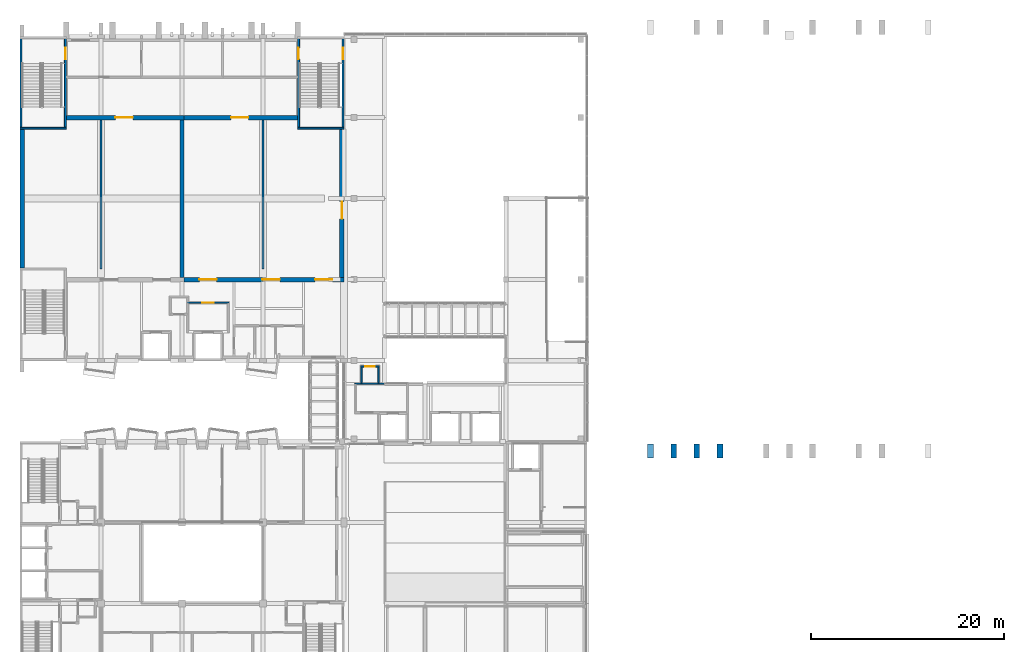
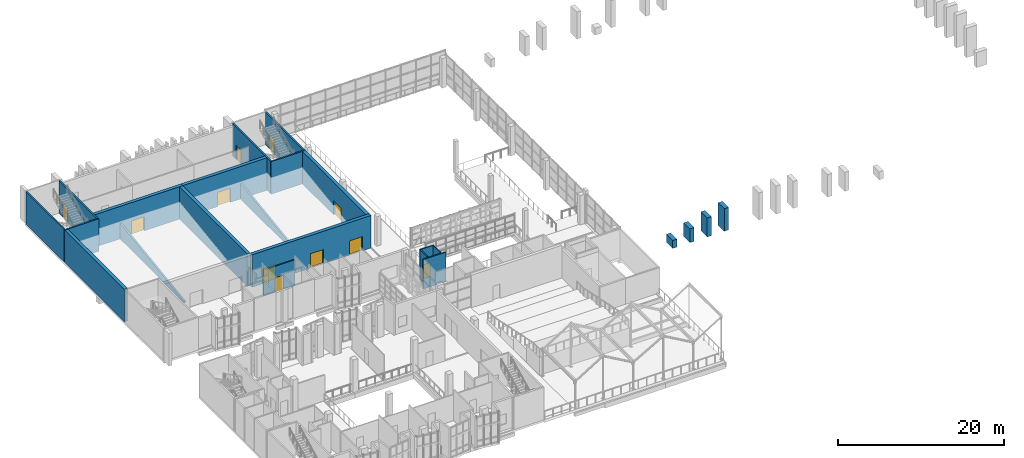
# One storey, part 45 of 67: 23 walls, 11 doors, 11 openings.
"""IFC4 building model written with IfcOpenShell, lengths in metres."""

from ifc_helpers import new_model, si_unit, direction, frame, frame_2d, origin, place, context, subcontext, project, spatial, polyline, rectangle, outline, extrude, material, layer, layer_set, type_object, element, fill, save


model = new_model("IFC4")

# Units and contexts
model_context = context("Model", 3, precision=1e-05, world=origin(), true_north=direction((0.0, 1.0)))
body_context = subcontext(model_context, "Body", "Model", "MODEL_VIEW")
ifc_project = project(units=[si_unit("LENGTHUNIT", "METRE"), si_unit("AREAUNIT", "SQUARE_METRE"), si_unit("VOLUMEUNIT", "CUBIC_METRE"), si_unit("PLANEANGLEUNIT", "RADIAN"), si_unit("MASSUNIT", "GRAM", prefix="KILO")], contexts=[model_context])

# Site, building, storey
site_placement = place(None, origin())
site = spatial("IfcSite", under=ifc_project, at=site_placement, CompositionType="ELEMENT")
building_placement = place(site_placement, origin())
building = spatial("IfcBuilding", under=site, at=building_placement, Name="Kiln Court Media Centre", CompositionType="ELEMENT")
storey_placement = place(building_placement, frame((0.0, 0.0, 19.800048828125)))
storey = spatial("IfcBuildingStorey", under=building, at=storey_placement, Name="L04", CompositionType="ELEMENT", Elevation=19.800048828125)

# Wall
ifc_material_1 = material(Name="Concrete block masonry M7.5", Category="masonry")
ifc_layer_1 = layer(ifc_material_1, 0.14990234375)
ifc_layer_set_1 = layer_set([ifc_layer_1], Name="Block lobby wall 150 EI 120")
wall_type_1 = type_object("IfcWallType", Name="Block lobby wall 150 EI 120", PredefinedType="SOLIDWALL", material=ifc_layer_set_1)
wall_1_placement = place(storey_placement, frame((34.72509765625, 31.199951171875, 0.0), z_axis=(0.0, 0.0, 1.0), x_axis=(1.0, 0.0, 0.0)))
element("IfcWall", 1, at=wall_1_placement, inside=storey, type_object=wall_type_1, Name="L04 block lobby wall", PredefinedType="SOLIDWALL", context=body_context, shape_type="SweptSolid", body=[
    extrude(rectangle(XDim=3.14990234375, YDim=0.14990234375, at=frame_2d((1.574951171875, 0.0))), origin(), (0.0, 0.0, 1.0), 4.349853515625),
])

# Wall, opening, door
wall_2_placement = place(storey_placement, frame((17.324951171875, 39.60009765625, 0.0), z_axis=(0.0, 0.0, 1.0), x_axis=(1.0, 0.0, 0.0)))
wall_2 = element("IfcWall", 2, at=wall_2_placement, inside=storey, type_object=wall_type_1, Name="L04 block lobby wall", PredefinedType="SOLIDWALL", context=body_context, shape_type="SweptSolid", body=[
    extrude(rectangle(XDim=4.35009765625, YDim=0.14990234375, at=frame_2d((2.175048828125, 0.0))), origin(), (0.0, 0.0, 1.0), 3.800048828125),
])
opening_1_placement = place(wall_2_placement, frame((1.574951171875, 0.0, 0.0)))
opening_1 = element("IfcOpeningElement", 3, at=opening_1_placement, cuts=wall_2, Name="Opening D4026", PredefinedType="OPENING", context=body_context, shape_type="SweptSolid", body=[
    extrude(rectangle(XDim=1.199951171875, YDim=2.10009765625, at=frame_2d((0.60009765625, 1.050048828125))), frame((0.0, 0.0849609375, 0.0), z_axis=(0.0, -1.0, 0.0), x_axis=(1.0, 0.0, 0.0)), (0.0, 0.0, 1.0), 0.169921875),
])
ifc_material_2 = material(Name="Steel S275", Category="steel")
door_type_1 = type_object("IfcDoorType", Name="Steel lobby door 1200 x 2100 FD120", OperationType="SINGLE_SWING_LEFT", PredefinedType="DOOR", material=ifc_material_2)
door_1_placement = place(opening_1_placement, origin())
door_1 = element("IfcDoor", 4, at=door_1_placement, inside=storey, type_object=door_type_1, Name="Cinema Lobby / Fire-fighting Lift Lobby", OperationType="SINGLE_SWING_RIGHT", OverallHeight=2.10009765625, OverallWidth=1.199951171875, PredefinedType="DOOR", context=body_context, shape_type="SweptSolid", body=[
    extrude(rectangle(XDim=1.199951171875, YDim=2.10009765625, at=frame_2d((0.60009765625, 1.050048828125))), frame((0.0, 0.02490234375, 0.0), z_axis=(0.0, -1.0, 0.0), x_axis=(1.0, 0.0, 0.0)), (0.0, 0.0, 1.0), 0.050048828125),
])
fill(opening_1, door_1)

ifc_material_3 = material(Name="Concrete C40/50", Category="concrete")
ifc_layer_2 = layer(ifc_material_3, 0.449951171875)
ifc_layer_set_2 = layer_set([ifc_layer_2], Name="Concrete C40/50 auditorium wall 450")
wall_type_2 = type_object("IfcWallType", Name="Concrete C40/50 auditorium wall 450", PredefinedType="SHEAR", material=ifc_layer_set_2)
wall_3_placement = place(storey_placement, frame((4.800048828125, 58.800048828125, 0.0), z_axis=(0.0, 0.0, 1.0), x_axis=(1.0, 0.0, 0.0)))
wall_3 = element("IfcWall", 5, at=wall_3_placement, inside=storey, type_object=wall_type_2, Name="L04-W-1073", PredefinedType="SHEAR", context=body_context, shape_type="SweptSolid", body=[
    extrude(rectangle(XDim=12.224853515625, YDim=0.449951171875, at=frame_2d((6.1123046875, 0.0))), origin(), (0.0, 0.0, 1.0), 4.800048828125),
])
opening_2_placement = place(wall_3_placement, frame((5.10009765625, 0.0, 0.0)))
opening_2 = element("IfcOpeningElement", 6, at=opening_2_placement, cuts=wall_3, Name="Opening D4039", PredefinedType="OPENING", context=body_context, shape_type="SweptSolid", body=[
    extrude(rectangle(XDim=1.800048828125, YDim=2.10009765625, at=frame_2d((0.89990234375, 1.050048828125))), frame((0.0, 0.23486328125, 0.0), z_axis=(0.0, -1.0, 0.0), x_axis=(1.0, 0.0, 0.0)), (0.0, 0.0, 1.0), 0.469970703125),
])
ifc_material_4 = material(Name="Steel S275", Category="steel")
door_type_2 = type_object("IfcDoorType", Name="Acoustic cinema double door 1800 x 2100 FD180", OperationType="DOUBLE_DOOR_SINGLE_SWING", PredefinedType="DOOR", material=ifc_material_4)
door_2_placement = place(opening_2_placement, origin())
door_2 = element("IfcDoor", 7, at=door_2_placement, inside=storey, type_object=door_type_2, Name="Cinema Screen 7 / Rear Exit Lobby", OperationType="DOUBLE_DOOR_SINGLE_SWING", OverallHeight=2.10009765625, OverallWidth=1.800048828125, PredefinedType="DOOR", context=body_context, shape_type="SweptSolid", body=[
    extrude(rectangle(XDim=1.800048828125, YDim=2.10009765625, at=frame_2d((0.89990234375, 1.050048828125))), frame((0.0, 0.02490234375, 0.0), z_axis=(0.0, -1.0, 0.0), x_axis=(1.0, 0.0, 0.0)), (0.0, 0.0, 1.0), 0.050048828125),
])
fill(opening_2, door_2)

# Walls
wall_4_placement = place(storey_placement, frame((0.225341796875, 43.199951171875, 0.0), z_axis=(0.0, 0.0, 1.0), x_axis=(0.0, 1.0, 0.0)))
element("IfcWall", 8, at=wall_4_placement, inside=storey, type_object=wall_type_2, Name="L04-W-1074", PredefinedType="SHEAR", context=body_context, shape_type="SweptSolid", body=[
    extrude(rectangle(XDim=14.400146484375, YDim=0.449951171875, at=frame_2d((7.2001953125, 0.0))), origin(), (0.0, 0.0, 1.0), 4.800048828125),
])
wall_5_placement = place(storey_placement, frame((16.800048828125, 58.574951171875, 0.0), z_axis=(0.0, 0.0, 1.0), x_axis=(0.0, -1.0, 0.0)))
element("IfcWall", 9, at=wall_5_placement, inside=storey, type_object=wall_type_2, Name="L04-W-1075", PredefinedType="SHEAR", context=body_context, shape_type="SweptSolid", body=[
    extrude(rectangle(XDim=16.349853515625, YDim=0.449951171875, at=frame_2d((8.1748046875, 0.0))), origin(), (0.0, 0.0, 1.0), 4.800048828125),
])

# Wall, openings, doors
wall_6_placement = place(storey_placement, frame((33.60009765625, 42.0, 0.0), z_axis=(0.0, 0.0, 1.0), x_axis=(-1.0, 0.0, 0.0)))
wall_6 = element("IfcWall", 10, at=wall_6_placement, inside=storey, type_object=wall_type_2, Name="L04-W-1076", PredefinedType="SHEAR", context=body_context, shape_type="SweptSolid", body=[
    extrude(rectangle(XDim=16.5751953125, YDim=0.449951171875, at=frame_2d((8.28759765625, 0.0))), origin(), (0.0, 0.0, 1.0), 4.800048828125),
])
opening_3_placement = place(wall_6_placement, frame((13.2001953125, 0.0, 0.0)))
opening_3 = element("IfcOpeningElement", 11, at=opening_3_placement, cuts=wall_6, Name="Opening D4040", PredefinedType="OPENING", context=body_context, shape_type="SweptSolid", body=[
    extrude(rectangle(XDim=1.800048828125, YDim=2.10009765625, at=frame_2d((0.89990234375, 1.050048828125))), frame((0.0, 0.23486328125, 0.0), z_axis=(0.0, -1.0, 0.0), x_axis=(1.0, 0.0, 0.0)), (0.0, 0.0, 1.0), 0.469970703125),
])
opening_4_placement = place(wall_6_placement, frame((1.2001953125, 0.0, 0.0)))
opening_4 = element("IfcOpeningElement", 12, at=opening_4_placement, cuts=wall_6, Name="Opening D4041", PredefinedType="OPENING", context=body_context, shape_type="SweptSolid", body=[
    extrude(rectangle(XDim=1.800048828125, YDim=2.10009765625, at=frame_2d((0.89990234375, 1.050048828125))), frame((0.0, 0.23486328125, 0.0), z_axis=(0.0, -1.0, 0.0), x_axis=(1.0, 0.0, 0.0)), (0.0, 0.0, 1.0), 0.469970703125),
])
opening_5_placement = place(wall_6_placement, frame((6.650146484375, 0.0, 0.0)))
opening_5 = element("IfcOpeningElement", 13, at=opening_5_placement, cuts=wall_6, Name="Opening D4042", PredefinedType="OPENING", context=body_context, shape_type="SweptSolid", body=[
    extrude(rectangle(XDim=1.800048828125, YDim=2.10009765625, at=frame_2d((0.89990234375, 1.050048828125))), frame((0.0, 0.23486328125, 0.0), z_axis=(0.0, -1.0, 0.0), x_axis=(1.0, 0.0, 0.0)), (0.0, 0.0, 1.0), 0.469970703125),
])
door_3_placement = place(opening_3_placement, origin())
door_3 = element("IfcDoor", 14, at=door_3_placement, inside=storey, type_object=door_type_2, Name="Cinema Lobby / Cinema Screen 8", OperationType="DOUBLE_DOOR_SINGLE_SWING", OverallHeight=2.10009765625, OverallWidth=1.800048828125, PredefinedType="DOOR", context=body_context, shape_type="SweptSolid", body=[
    extrude(rectangle(XDim=1.800048828125, YDim=2.10009765625, at=frame_2d((0.89990234375, 1.050048828125))), frame((0.0, 0.02490234375, 0.0), z_axis=(0.0, -1.0, 0.0), x_axis=(1.0, 0.0, 0.0)), (0.0, 0.0, 1.0), 0.050048828125),
])
fill(opening_3, door_3)
door_4_placement = place(opening_4_placement, origin())
door_4 = element("IfcDoor", 15, at=door_4_placement, inside=storey, type_object=door_type_2, Name="Foyer Link / Cinema Screen 8", OperationType="DOUBLE_DOOR_SINGLE_SWING", OverallHeight=2.10009765625, OverallWidth=1.800048828125, PredefinedType="DOOR", context=body_context, shape_type="SweptSolid", body=[
    extrude(rectangle(XDim=1.800048828125, YDim=2.10009765625, at=frame_2d((0.89990234375, 1.050048828125))), frame((0.0, 0.02490234375, 0.0), z_axis=(0.0, -1.0, 0.0), x_axis=(1.0, 0.0, 0.0)), (0.0, 0.0, 1.0), 0.050048828125),
])
fill(opening_4, door_4)
door_5_placement = place(opening_5_placement, origin())
door_5 = element("IfcDoor", 16, at=door_5_placement, inside=storey, type_object=door_type_2, Name="Cinema Lobby / Cinema Screen 8", OperationType="DOUBLE_DOOR_SINGLE_SWING", OverallHeight=2.10009765625, OverallWidth=1.800048828125, PredefinedType="DOOR", context=body_context, shape_type="SweptSolid", body=[
    extrude(rectangle(XDim=1.800048828125, YDim=2.10009765625, at=frame_2d((0.89990234375, 1.050048828125))), frame((0.0, 0.02490234375, 0.0), z_axis=(0.0, -1.0, 0.0), x_axis=(1.0, 0.0, 0.0)), (0.0, 0.0, 1.0), 0.050048828125),
])
fill(opening_5, door_5)

# Wall, opening, door
wall_7_placement = place(storey_placement, frame((17.02490234375, 58.800048828125, 0.0), z_axis=(0.0, 0.0, 1.0), x_axis=(1.0, 0.0, 0.0)))
wall_7 = element("IfcWall", 17, at=wall_7_placement, inside=storey, type_object=wall_type_2, Name="L04-W-1077", PredefinedType="SHEAR", context=body_context, shape_type="SweptSolid", body=[
    extrude(rectangle(XDim=11.775146484375, YDim=0.449951171875, at=frame_2d((5.8876953125, 0.0))), origin(), (0.0, 0.0, 1.0), 4.800048828125),
])
opening_6_placement = place(wall_7_placement, frame((4.875, 0.0, 0.0)))
opening_6 = element("IfcOpeningElement", 18, at=opening_6_placement, cuts=wall_7, Name="Opening D4043", PredefinedType="OPENING", context=body_context, shape_type="SweptSolid", body=[
    extrude(rectangle(XDim=1.800048828125, YDim=2.10009765625, at=frame_2d((0.89990234375, 1.050048828125))), frame((0.0, 0.23486328125, 0.0), z_axis=(0.0, -1.0, 0.0), x_axis=(1.0, 0.0, 0.0)), (0.0, 0.0, 1.0), 0.469970703125),
])
door_6_placement = place(opening_6_placement, origin())
door_6 = element("IfcDoor", 19, at=door_6_placement, inside=storey, type_object=door_type_2, Name="Cinema Screen 8 / Rear Exit Lobby", OperationType="DOUBLE_DOOR_SINGLE_SWING", OverallHeight=2.10009765625, OverallWidth=1.800048828125, PredefinedType="DOOR", context=body_context, shape_type="SweptSolid", body=[
    extrude(rectangle(XDim=1.800048828125, YDim=2.10009765625, at=frame_2d((0.89990234375, 1.050048828125))), frame((0.0, 0.02490234375, 0.0), z_axis=(0.0, -1.0, 0.0), x_axis=(1.0, 0.0, 0.0)), (0.0, 0.0, 1.0), 0.050048828125),
])
fill(opening_6, door_6)

wall_8_placement = place(storey_placement, frame((33.375, 57.60009765625, 0.0), z_axis=(0.0, 0.0, 1.0), x_axis=(0.0, -1.0, 0.0)))
wall_8 = element("IfcWall", 20, at=wall_8_placement, inside=storey, type_object=wall_type_2, Name="L04-W-1078", PredefinedType="SHEAR", context=body_context, shape_type="SweptSolid", body=[
    extrude(rectangle(XDim=15.375, YDim=0.449951171875, at=frame_2d((7.6875, 0.0))), origin(), (0.0, 0.0, 1.0), 4.800048828125),
])
opening_7_placement = place(wall_8_placement, frame((7.5, 0.0, 0.0)))
opening_7 = element("IfcOpeningElement", 21, at=opening_7_placement, cuts=wall_8, Name="Opening D4012", PredefinedType="OPENING", context=body_context, shape_type="SweptSolid", body=[
    extrude(rectangle(XDim=1.800048828125, YDim=2.10009765625, at=frame_2d((0.89990234375, 1.050048828125))), frame((0.0, 0.23486328125, 0.0), z_axis=(0.0, -1.0, 0.0), x_axis=(1.0, 0.0, 0.0)), (0.0, 0.0, 1.0), 0.469970703125),
])
ifc_material_5 = material(Name="Steel S275", Category="steel")
door_type_3 = type_object("IfcDoorType", Name="Steel fire-wall double door 1800 x 2100 FD180", OperationType="DOUBLE_DOOR_SINGLE_SWING", PredefinedType="DOOR", material=ifc_material_5)
door_7_placement = place(opening_7_placement, origin())
door_7 = element("IfcDoor", 22, at=door_7_placement, inside=storey, type_object=door_type_3, Name="West Gallery / Cinema Screen 8", OperationType="DOUBLE_DOOR_SINGLE_SWING", OverallHeight=2.10009765625, OverallWidth=1.800048828125, PredefinedType="DOOR", context=body_context, shape_type="SweptSolid", body=[
    extrude(rectangle(XDim=1.800048828125, YDim=2.10009765625, at=frame_2d((0.89990234375, 1.050048828125))), frame((0.0, 0.02490234375, 0.0), z_axis=(0.0, -1.0, 0.0), x_axis=(1.0, 0.0, 0.0)), (0.0, 0.0, 1.0), 0.050048828125),
])
fill(opening_7, door_7)

# Walls
ifc_material_6 = material(Name="Concrete C40/50", Category="concrete")
ifc_layer_3 = layer(ifc_material_6, 0.60009765625)
ifc_layer_set_3 = layer_set([ifc_layer_3], Name="Concrete C40/50 cast rib 600x1500")
wall_type_3 = type_object("IfcWallType", Name="Concrete C40/50 cast rib 600x1500", PredefinedType="SOLIDWALL", material=ifc_layer_set_3)
wall_9_placement = place(storey_placement, frame((65.39990234375, 24.9736328125, 0.0), z_axis=(0.0, 0.0, 1.0), x_axis=(0.0, -1.0, 0.0)))
element("IfcWall", 23, at=wall_9_placement, inside=storey, type_object=wall_type_3, Name="V1 S gable rib", PredefinedType="SOLIDWALL", context=body_context, shape_type="SweptSolid", body=[
    extrude(rectangle(XDim=1.5, YDim=0.60009765625, at=frame_2d((0.75, 0.0))), origin(), (0.0, 0.0, 1.0), 1.179931640625),
])
wall_10_placement = place(storey_placement, frame((67.800048828125, 24.9736328125, 0.0), z_axis=(0.0, 0.0, 1.0), x_axis=(0.0, -1.0, 0.0)))
element("IfcWall", 24, at=wall_10_placement, inside=storey, type_object=wall_type_3, Name="V1 S gable rib", PredefinedType="SOLIDWALL", context=body_context, shape_type="SweptSolid", body=[
    extrude(rectangle(XDim=1.5, YDim=0.60009765625, at=frame_2d((0.75, 0.0))), origin(), (0.0, 0.0, 1.0), 2.037109375),
])
wall_11_placement = place(storey_placement, frame((70.199951171875, 24.9736328125, 0.0), z_axis=(0.0, 0.0, 1.0), x_axis=(0.0, -1.0, 0.0)))
element("IfcWall", 25, at=wall_11_placement, inside=storey, type_object=wall_type_3, Name="V1 S gable rib", PredefinedType="SOLIDWALL", context=body_context, shape_type="SweptSolid", body=[
    extrude(rectangle(XDim=1.5, YDim=0.60009765625, at=frame_2d((0.75, 0.0))), origin(), (0.0, 0.0, 1.0), 2.80859375),
])
wall_12_placement = place(storey_placement, frame((72.60009765625, 24.9736328125, 0.0), z_axis=(0.0, 0.0, 1.0), x_axis=(0.0, -1.0, 0.0)))
element("IfcWall", 26, at=wall_12_placement, inside=storey, type_object=wall_type_3, Name="V1 S gable rib", PredefinedType="SOLIDWALL", context=body_context, shape_type="SweptSolid", body=[
    extrude(rectangle(XDim=1.5, YDim=0.60009765625, at=frame_2d((0.75, 0.0))), origin(), (0.0, 0.0, 1.0), 3.32275390625),
])
ifc_material_7 = material(Name="Concrete C40/50", Category="concrete")
ifc_layer_4 = layer(ifc_material_7, 0.25)
ifc_layer_set_4 = layer_set([ifc_layer_4], Name="Concrete C40/50 raker wall 250")
wall_type_4 = type_object("IfcWallType", Name="Concrete C40/50 raker wall 250", PredefinedType="SOLIDWALL", material=ifc_layer_set_4)
for number, where, z_axis, x_axis, name in (
    (27, (8.39990234375, 43.10009765625, 0.0), (0.0, 0.0, 1.0), (0.0, 1.0, 0.0), "L04-W-1104"),
    (28, (25.199951171875, 43.10009765625, 0.0), (0.0, 0.0, 1.0), (0.0, 1.0, 0.0), "L04-W-1105"),
):
    element("IfcWall", number, at=place(storey_placement, frame(where, z_axis=z_axis, x_axis=x_axis)), inside=storey, type_object=wall_type_4, Name=name, PredefinedType="SOLIDWALL", context=body_context, shape_type="SweptSolid", body=[
        extrude(outline(polyline([(0.0, 0.0), (15.474853515625, 0.0), (15.474853515625, 2.320556640625), (0.0, 0.154052734375), (0.0, 0.0)])), frame((0.0, 0.125, 0.0), z_axis=(0.0, -1.0, 0.0), x_axis=(1.0, 0.0, 0.0)), (0.0, 0.0, 1.0), 0.25),
    ])
ifc_material_8 = material(Name="Concrete C40/50", Category="concrete")
ifc_layer_5 = layer(ifc_material_8, 0.199951171875)
ifc_layer_set_5 = layer_set([ifc_layer_5], Name="Concrete C40/50 shear wall 200")
wall_type_5 = type_object("IfcWallType", Name="Concrete C40/50 shear wall 200", PredefinedType="SHEAR", material=ifc_layer_set_5)
wall_13_placement = place(storey_placement, frame((4.800048828125, 57.699951171875, 0.0), z_axis=(0.0, 0.0, 1.0), x_axis=(-1.0, 0.0, 0.0)))
element("IfcWall", 29, at=wall_13_placement, inside=storey, type_object=wall_type_5, Name="L04-W-1020", PredefinedType="SHEAR", context=body_context, shape_type="SweptSolid", body=[
    extrude(rectangle(XDim=4.799560546875, YDim=0.199951171875, at=frame_2d((2.39990234375, 0.0))), origin(), (0.0, 0.0, 1.0), 4.800048828125),
])
wall_14_placement = place(storey_placement, frame((0.100341796875, 57.800048828125, 0.0), z_axis=(0.0, 0.0, 1.0), x_axis=(0.0, 1.0, 0.0)))
element("IfcWall", 30, at=wall_14_placement, inside=storey, type_object=wall_type_5, Name="L04-W-1022", PredefinedType="SHEAR", context=body_context, shape_type="SweptSolid", body=[
    extrude(rectangle(XDim=9.199951171875, YDim=0.199951171875, at=frame_2d((4.60009765625, 0.0))), origin(), (0.0, 0.0, 1.0), 4.800048828125),
])

# Wall, opening, door
wall_15_placement = place(storey_placement, frame((4.699951171875, 67.0, 0.0), z_axis=(0.0, 0.0, 1.0), x_axis=(0.0, -1.0, 0.0)))
wall_15 = element("IfcWall", 31, at=wall_15_placement, inside=storey, type_object=wall_type_5, Name="L04-W-1023", PredefinedType="SHEAR", context=body_context, shape_type="SweptSolid", body=[
    extrude(rectangle(XDim=9.199951171875, YDim=0.199951171875, at=frame_2d((4.60009765625, 0.0))), origin(), (0.0, 0.0, 1.0), 4.800048828125),
])
opening_8_placement = place(wall_15_placement, frame((0.949951171875, 0.0, 0.0)))
opening_8 = element("IfcOpeningElement", 32, at=opening_8_placement, cuts=wall_15, Name="Opening D4003", PredefinedType="OPENING", context=body_context, shape_type="SweptSolid", body=[
    extrude(rectangle(XDim=1.199951171875, YDim=2.10009765625, at=frame_2d((0.60009765625, 1.050048828125))), frame((0.0, 0.10986328125, 0.0), z_axis=(0.0, -1.0, 0.0), x_axis=(1.0, 0.0, 0.0)), (0.0, 0.0, 1.0), 0.219970703125),
])
ifc_material_9 = material(Name="Steel S275", Category="steel")
door_type_4 = type_object("IfcDoorType", Name="Steel stair door 1200 x 2100 FD180", OperationType="SINGLE_SWING_LEFT", PredefinedType="DOOR", material=ifc_material_9)
door_8_placement = place(opening_8_placement, origin())
door_8 = element("IfcDoor", 33, at=door_8_placement, inside=storey, type_object=door_type_4, Name="Stair 7 / Cinema Staff Room", OperationType="SINGLE_SWING_RIGHT", OverallHeight=2.10009765625, OverallWidth=1.199951171875, PredefinedType="DOOR", context=body_context, shape_type="SweptSolid", body=[
    extrude(rectangle(XDim=1.199951171875, YDim=2.10009765625, at=frame_2d((0.60009765625, 1.050048828125))), frame((0.0, 0.02490234375, 0.0), z_axis=(0.0, -1.0, 0.0), x_axis=(1.0, 0.0, 0.0)), (0.0, 0.0, 1.0), 0.050048828125),
])
fill(opening_8, door_8)

# Wall
wall_16_placement = place(storey_placement, frame((33.60009765625, 57.699951171875, 0.0), z_axis=(0.0, 0.0, 1.0), x_axis=(-1.0, 0.0, 0.0)))
element("IfcWall", 34, at=wall_16_placement, inside=storey, type_object=wall_type_5, Name="L04-W-1024", PredefinedType="SHEAR", context=body_context, shape_type="SweptSolid", body=[
    extrude(rectangle(XDim=4.800048828125, YDim=0.199951171875, at=frame_2d((2.39990234375, 0.0))), origin(), (0.0, 0.0, 1.0), 4.800048828125),
])

# Wall, opening, door
wall_17_placement = place(storey_placement, frame((28.89990234375, 57.800048828125, 0.0), z_axis=(0.0, 0.0, 1.0), x_axis=(0.0, 1.0, 0.0)))
wall_17 = element("IfcWall", 35, at=wall_17_placement, inside=storey, type_object=wall_type_5, Name="L04-W-1026", PredefinedType="SHEAR", context=body_context, shape_type="SweptSolid", body=[
    extrude(rectangle(XDim=9.199951171875, YDim=0.199951171875, at=frame_2d((4.60009765625, 0.0))), origin(), (0.0, 0.0, 1.0), 4.800048828125),
])
opening_9_placement = place(wall_17_placement, frame((7.050048828125, 0.0, 0.0)))
opening_9 = element("IfcOpeningElement", 36, at=opening_9_placement, cuts=wall_17, Name="Opening D4005", PredefinedType="OPENING", context=body_context, shape_type="SweptSolid", body=[
    extrude(rectangle(XDim=1.199951171875, YDim=2.10009765625, at=frame_2d((0.60009765625, 1.050048828125))), frame((0.0, 0.10986328125, 0.0), z_axis=(0.0, -1.0, 0.0), x_axis=(1.0, 0.0, 0.0)), (0.0, 0.0, 1.0), 0.219970703125),
])
door_9_placement = place(opening_9_placement, origin())
door_9 = element("IfcDoor", 37, at=door_9_placement, inside=storey, type_object=door_type_4, Name="Stair 8 / Film Library Room", OperationType="SINGLE_SWING_RIGHT", OverallHeight=2.10009765625, OverallWidth=1.199951171875, PredefinedType="DOOR", context=body_context, shape_type="SweptSolid", body=[
    extrude(rectangle(XDim=1.199951171875, YDim=2.10009765625, at=frame_2d((0.60009765625, 1.050048828125))), frame((0.0, 0.02490234375, 0.0), z_axis=(0.0, -1.0, 0.0), x_axis=(1.0, 0.0, 0.0)), (0.0, 0.0, 1.0), 0.050048828125),
])
fill(opening_9, door_9)

wall_18_placement = place(storey_placement, frame((33.5, 67.0, 0.0), z_axis=(0.0, 0.0, 1.0), x_axis=(0.0, -1.0, 0.0)))
wall_18 = element("IfcWall", 38, at=wall_18_placement, inside=storey, type_object=wall_type_5, Name="L04-W-1027", PredefinedType="SHEAR", context=body_context, shape_type="SweptSolid", body=[
    extrude(rectangle(XDim=9.199951171875, YDim=0.199951171875, at=frame_2d((4.60009765625, 0.0))), origin(), (0.0, 0.0, 1.0), 4.800048828125),
])
opening_10_placement = place(wall_18_placement, frame((0.949951171875, 0.0, 0.0)))
opening_10 = element("IfcOpeningElement", 39, at=opening_10_placement, cuts=wall_18, Name="Opening D4004", PredefinedType="OPENING", context=body_context, shape_type="SweptSolid", body=[
    extrude(rectangle(XDim=1.199951171875, YDim=2.10009765625, at=frame_2d((0.60009765625, 1.050048828125))), frame((0.0, 0.10986328125, 0.0), z_axis=(0.0, -1.0, 0.0), x_axis=(1.0, 0.0, 0.0)), (0.0, 0.0, 1.0), 0.219970703125),
])
door_10_placement = place(opening_10_placement, origin())
door_10 = element("IfcDoor", 40, at=door_10_placement, inside=storey, type_object=door_type_4, Name="West Gallery / Stair 8", OperationType="SINGLE_SWING_RIGHT", OverallHeight=2.10009765625, OverallWidth=1.199951171875, PredefinedType="DOOR", context=body_context, shape_type="SweptSolid", body=[
    extrude(rectangle(XDim=1.199951171875, YDim=2.10009765625, at=frame_2d((0.60009765625, 1.050048828125))), frame((0.0, 0.02490234375, 0.0), z_axis=(0.0, -1.0, 0.0), x_axis=(1.0, 0.0, 0.0)), (0.0, 0.0, 1.0), 0.050048828125),
])
fill(opening_10, door_10)

ifc_material_10 = material(Name="Gypsum plasterboard", Category="gypsum")
ifc_layer_6 = layer(ifc_material_10, 0.14990234375)
ifc_layer_set_6 = layer_set([ifc_layer_6], Name="Gypsum corridor partition 150 EI 60")
wall_type_6 = type_object("IfcWallType", Name="Gypsum corridor partition 150 EI 60", PredefinedType="PARTITIONING", material=ifc_layer_set_6)
wall_19_placement = place(storey_placement, frame((35.324951171875, 33.0, 0.0), z_axis=(0.0, 0.0, 1.0), x_axis=(1.0, 0.0, 0.0)))
wall_19 = element("IfcWall", 41, at=wall_19_placement, inside=storey, type_object=wall_type_6, Name="L04 gypsum corridor partition", PredefinedType="PARTITIONING", context=body_context, shape_type="SweptSolid", body=[
    extrude(rectangle(XDim=1.949951171875, YDim=0.14990234375, at=frame_2d((0.97509765625, 0.0))), origin(), (0.0, 0.0, 1.0), 4.5),
])
opening_11_placement = place(wall_19_placement, frame((0.47509765625, 0.0, 0.0)))
opening_11 = element("IfcOpeningElement", 42, at=opening_11_placement, cuts=wall_19, Name="Opening D4011", PredefinedType="OPENING", context=body_context, shape_type="SweptSolid", body=[
    extrude(rectangle(XDim=1.0, YDim=2.10009765625, at=frame_2d((0.5, 1.050048828125))), frame((0.0, 0.0849609375, 0.0), z_axis=(0.0, -1.0, 0.0), x_axis=(1.0, 0.0, 0.0)), (0.0, 0.0, 1.0), 0.169921875),
])
ifc_material_11 = material(Name="Steel S275", Category="steel")
door_type_5 = type_object("IfcDoorType", Name="Steel corridor door 1000 x 2100 FD30S", OperationType="SINGLE_SWING_LEFT", PredefinedType="DOOR", material=ifc_material_11)
door_11_placement = place(opening_11_placement, origin())
door_11 = element("IfcDoor", 43, at=door_11_placement, inside=storey, type_object=door_type_5, Name="West Gallery / Wheelchair Refuge", OperationType="SINGLE_SWING_LEFT", OverallHeight=2.10009765625, OverallWidth=1.0, PredefinedType="DOOR", context=body_context, shape_type="SweptSolid", body=[
    extrude(rectangle(XDim=1.0, YDim=2.10009765625, at=frame_2d((0.5, 1.050048828125))), frame((0.0, 0.02490234375, 0.0), z_axis=(0.0, -1.0, 0.0), x_axis=(1.0, 0.0, 0.0)), (0.0, 0.0, 1.0), 0.050048828125),
])
fill(opening_11, door_11)

# Walls
for number, where, z_axis, x_axis, name in (
    (44, (35.39990234375, 31.27490234375, 0.0), (0.0, 0.0, 1.0), (0.0, 1.0, 0.0), "L04 gypsum corridor partition"),
    (45, (37.199951171875, 31.27490234375, 0.0), (0.0, 0.0, 1.0), (0.0, 1.0, 0.0), "L04 gypsum corridor partition"),
):
    element("IfcWall", number, at=place(storey_placement, frame(where, z_axis=z_axis, x_axis=x_axis)), inside=storey, type_object=wall_type_6, Name=name, PredefinedType="PARTITIONING", context=body_context, shape_type="SweptSolid", body=[
        extrude(rectangle(XDim=1.650146484375, YDim=0.14990234375, at=frame_2d((0.8251953125, 0.0))), origin(), (0.0, 0.0, 1.0), 4.5),
    ])

save(model, "model.ifc")
